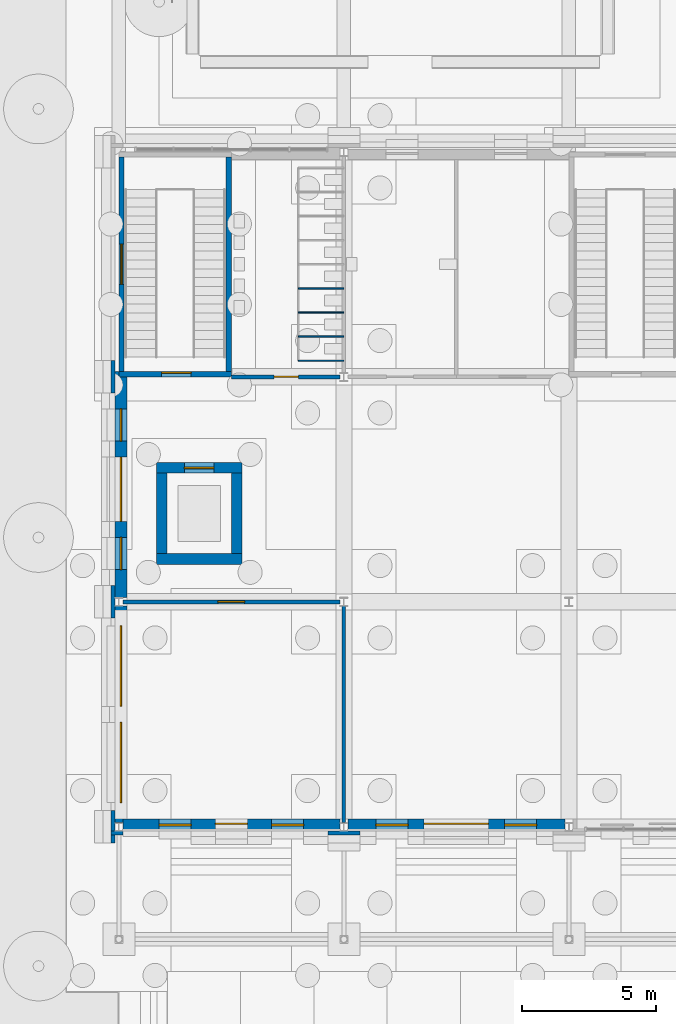
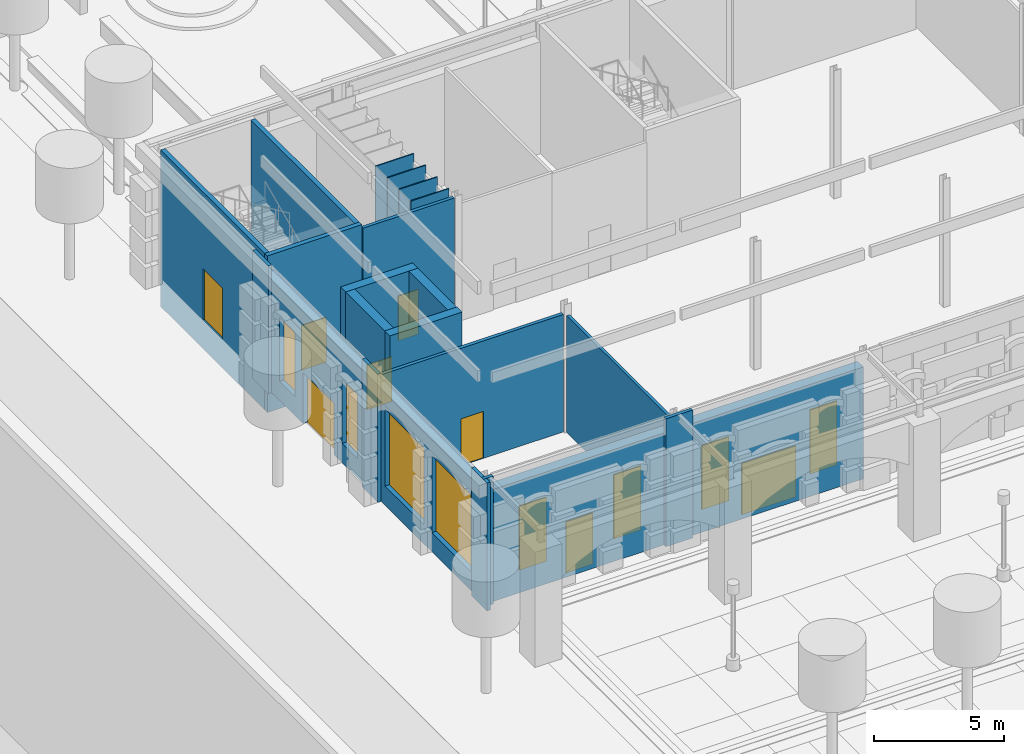
# One storey, part 88 of 222: 23 walls, 8 doors, 8 windows, 16 openings.
"""IFC4 building model written with IfcOpenShell, lengths in metres."""

from ifc_helpers import new_model, si_unit, direction, frame, frame_2d, origin, place, context, subcontext, project, spatial, rectangle, extrude, material, layer, layer_set, type_object, element, fill, save


model = new_model("IFC4")

# Units and contexts
model_context = context("Model", 3, precision=1e-05, world=origin(), true_north=direction((0.0, 1.0)))
body_context = subcontext(model_context, "Body", "Model", "MODEL_VIEW")
ifc_project = project(units=[si_unit("LENGTHUNIT", "METRE"), si_unit("AREAUNIT", "SQUARE_METRE"), si_unit("VOLUMEUNIT", "CUBIC_METRE"), si_unit("PLANEANGLEUNIT", "RADIAN"), si_unit("MASSUNIT", "GRAM", prefix="KILO")], contexts=[model_context])

# Site, building, storey
site_placement = place(None, origin())
site = spatial("IfcSite", under=ifc_project, at=site_placement, CompositionType="ELEMENT")
building_placement = place(site_placement, origin())
building = spatial("IfcBuilding", under=site, at=building_placement, Name="Sava Quay Ferry Terminal", CompositionType="ELEMENT")
storey_placement = place(building_placement, origin())
storey = spatial("IfcBuildingStorey", under=building, at=storey_placement, Name="L00", CompositionType="ELEMENT", Elevation=0.0)

# Walls
ifc_material_1 = material(Name="High-pressure laminate panel")
ifc_layer_1 = layer(ifc_material_1, 0.050048828125)
ifc_layer_set_1 = layer_set([ifc_layer_1], Name="High-pressure laminate panel")
wall_type_1 = type_object("IfcWallType", Name="Cubicle partition 50", PredefinedType="PARTITIONING", material=ifc_layer_set_1)
for number, where, z_axis, x_axis, name in (
    (1, (8.39990234375, 42.60009765625, 0.0), (0.0, 0.0, 1.0), (-1.0, 0.0, 0.0), "Cubicle partition panel"),
    (2, (8.39990234375, 43.5, 0.0), (0.0, 0.0, 1.0), (-1.0, 0.0, 0.0), "Cubicle partition panel"),
    (3, (8.39990234375, 44.39990234375, 0.0), (0.0, 0.0, 1.0), (-1.0, 0.0, 0.0), "Cubicle partition panel"),
    (4, (8.39990234375, 45.300048828125, 0.0), (0.0, 0.0, 1.0), (-1.0, 0.0, 0.0), "Cubicle partition panel"),
):
    element("IfcWall", number, at=place(storey_placement, frame(where, z_axis=z_axis, x_axis=x_axis)), inside=storey, type_object=wall_type_1, Name=name, PredefinedType="PARTITIONING", context=body_context, shape_type="SweptSolid", body=[
        extrude(rectangle(XDim=1.699951171875, YDim=0.050048828125, at=frame_2d((0.85009765625, 0.0))), origin(), (0.0, 0.0, 1.0), 5.8701171875),
    ])
ifc_material_2 = material(Name="Limestone Mutalj", Category="masonry")
ifc_layer_2 = layer(ifc_material_2, 0.14990234375)
ifc_layer_set_2 = layer_set([ifc_layer_2], Name="Limestone Mutalj")
wall_type_2 = type_object("IfcWallType", Name="Pier cladding 150", PredefinedType="SOLIDWALL", material=ifc_layer_set_2)
wall_1_placement = place(storey_placement, frame((-0.300048828125, 24.965087890625, 0.0), z_axis=(0.0, 0.0, 1.0), x_axis=(1.0, 0.0, 0.0)))
element("IfcWall", 5, at=wall_1_placement, inside=storey, type_object=wall_type_2, Name="Pier W-S grid 0", PredefinedType="SOLIDWALL", context=body_context, shape_type="SweptSolid", body=[
    extrude(rectangle(XDim=0.449951171875, YDim=0.14990234375, at=frame_2d((0.22509765625, 0.0))), origin(), (0.0, 0.0, 1.0), 6.0),
])
for number, where, z_axis, x_axis, name in (
    (6, (7.800048828125, 24.965087890625, 0.0), (0.0, 0.0, 1.0), (1.0, 0.0, 0.0), "Pier W-S grid 8.4"),
    (7, (-0.22509765625, 24.60009765625, 0.0), (0.0, 0.0, 1.0), (0.0, 1.0, 0.0), "Pier W-W grid 25.2"),
    (8, (-0.22509765625, 33.0, 0.0), (0.0, 0.0, 1.0), (0.0, 1.0, 0.0), "Pier W-W grid 33.6"),
):
    element("IfcWall", number, at=place(storey_placement, frame(where, z_axis=z_axis, x_axis=x_axis)), inside=storey, type_object=wall_type_2, Name=name, PredefinedType="SOLIDWALL", context=body_context, shape_type="SweptSolid", body=[
        extrude(rectangle(XDim=1.199951171875, YDim=0.14990234375, at=frame_2d((0.60009765625, 0.0))), origin(), (0.0, 0.0, 1.0), 6.0),
    ])
wall_2_placement = place(storey_placement, frame((-0.22509765625, 41.39990234375, 0.0), z_axis=(0.0, 0.0, 1.0), x_axis=(0.0, 1.0, 0.0)))
element("IfcWall", 9, at=wall_2_placement, inside=storey, type_object=wall_type_2, Name="Pier W-W grid 42", PredefinedType="SOLIDWALL", context=body_context, shape_type="SweptSolid", body=[
    extrude(rectangle(XDim=1.2001953125, YDim=0.14990234375, at=frame_2d((0.60009765625, 0.0))), origin(), (0.0, 0.0, 1.0), 6.0),
])

# Wall, opening, door
ifc_material_3 = material(Name="Masonry blockwork", Category="masonry")
ifc_layer_3 = layer(ifc_material_3, 0.14990234375)
ifc_layer_set_3 = layer_set([ifc_layer_3], Name="Masonry blockwork")
wall_type_3 = type_object("IfcWallType", Name="Plant, store and lobby wall, blockwork 150", PredefinedType="PARTITIONING", material=ifc_layer_set_3)
wall_3_placement = place(storey_placement, frame((0.14990234375, 33.60009765625, 0.0), z_axis=(0.0, 0.0, 1.0), x_axis=(1.0, 0.0, 0.0)))
wall_3 = element("IfcWall", 10, at=wall_3_placement, inside=storey, type_object=wall_type_3, Name="Plant, store and lobby wall, blockwork 150", PredefinedType="PARTITIONING", context=body_context, shape_type="SweptSolid", body=[
    extrude(rectangle(XDim=8.10009765625, YDim=0.14990234375, at=frame_2d((4.050048828125, 0.0))), origin(), (0.0, 0.0, 1.0), 5.510009765625),
])
opening_1_placement = place(wall_3_placement, frame((3.550048828125, 0.0, 0.0)))
opening_1 = element("IfcOpeningElement", 11, at=opening_1_placement, cuts=wall_3, Name="Opening D0005", PredefinedType="OPENING", context=body_context, shape_type="SweptSolid", body=[
    extrude(rectangle(XDim=1.0, YDim=2.199951171875, at=frame_2d((0.5, 1.10009765625))), frame((0.0, 0.074951171875, 0.0), z_axis=(0.0, -1.0, 0.0), x_axis=(1.0, 0.0, 0.0)), (0.0, 0.0, 1.0), 0.14990234375),
])
ifc_material_4 = material(Name="Timber door set", Category="wood")
door_type_1 = type_object("IfcDoorType", Name="Single door 1000 x 2200", OperationType="NOTDEFINED", PredefinedType="DOOR", material=ifc_material_4)
door_1_placement = place(opening_1_placement, origin())
door_1 = element("IfcDoor", 12, at=door_1_placement, inside=storey, type_object=door_type_1, Name="Door D0005", OperationType="SINGLE_SWING_LEFT", OverallHeight=2.199951171875, OverallWidth=1.0, PredefinedType="DOOR", context=body_context, shape_type="SweptSolid", body=[
    extrude(rectangle(XDim=1.0, YDim=2.199951171875, at=frame_2d((0.5, 1.10009765625))), frame((0.0, 0.02490234375, 0.0), z_axis=(0.0, -1.0, 0.0), x_axis=(1.0, 0.0, 0.0)), (0.0, 0.0, 1.0), 0.050048828125),
])
fill(opening_1, door_1)

wall_4_placement = place(storey_placement, frame((4.199951171875, 42.0, 0.0), z_axis=(0.0, 0.0, 1.0), x_axis=(1.0, 0.0, 0.0)))
wall_4 = element("IfcWall", 13, at=wall_4_placement, inside=storey, type_object=wall_type_3, Name="Plant, store and lobby wall, blockwork 150", PredefinedType="PARTITIONING", context=body_context, shape_type="SweptSolid", body=[
    extrude(rectangle(XDim=4.050048828125, YDim=0.14990234375, at=frame_2d((2.02490234375, 0.0))), origin(), (0.0, 0.0, 1.0), 5.8701171875),
])
opening_2_placement = place(wall_4_placement, frame((1.60009765625, 0.0, 0.0)))
opening_2 = element("IfcOpeningElement", 14, at=opening_2_placement, cuts=wall_4, Name="Opening D0006", PredefinedType="OPENING", context=body_context, shape_type="SweptSolid", body=[
    extrude(rectangle(XDim=0.89990234375, YDim=2.10009765625, at=frame_2d((0.449951171875, 1.050048828125))), frame((0.0, 0.074951171875, 0.0), z_axis=(0.0, -1.0, 0.0), x_axis=(1.0, 0.0, 0.0)), (0.0, 0.0, 1.0), 0.14990234375),
])
ifc_material_5 = material(Name="Laminate door set")
door_type_2 = type_object("IfcDoorType", Name="Toilet door 900 x 2100", OperationType="NOTDEFINED", PredefinedType="DOOR", material=ifc_material_5)
door_2_placement = place(opening_2_placement, origin())
door_2 = element("IfcDoor", 15, at=door_2_placement, inside=storey, type_object=door_type_2, Name="Door D0006", OperationType="SINGLE_SWING_LEFT", OverallHeight=2.10009765625, OverallWidth=0.89990234375, PredefinedType="DOOR", context=body_context, shape_type="SweptSolid", body=[
    extrude(rectangle(XDim=0.89990234375, YDim=2.10009765625, at=frame_2d((0.449951171875, 1.050048828125))), frame((0.0, 0.02490234375, 0.0), z_axis=(0.0, -1.0, 0.0), x_axis=(1.0, 0.0, 0.0)), (0.0, 0.0, 1.0), 0.050048828125),
])
fill(opening_2, door_2)

ifc_material_6 = material(Name="Concrete C35/45", Category="concrete")
ifc_layer_4 = layer(ifc_material_6, 0.199951171875)
ifc_layer_set_4 = layer_set([ifc_layer_4], Name="Concrete C35/45")
wall_type_4 = type_object("IfcWallType", Name="RC core wall 200", PredefinedType="SHEAR", material=ifc_layer_set_4)
wall_5_placement = place(storey_placement, frame((0.0, 42.10009765625, -1.35009765625), z_axis=(0.0, 0.0, 1.0), x_axis=(1.0, 0.0, 0.0)))
wall_5 = element("IfcWall", 16, at=wall_5_placement, inside=storey, type_object=wall_type_4, Name="Core wall ST-W1 S L00", PredefinedType="SHEAR", context=body_context, shape_type="SweptSolid", body=[
    extrude(rectangle(XDim=4.199951171875, YDim=0.199951171875, at=frame_2d((2.10009765625, 0.0))), origin(), (0.0, 0.0, 1.0), 7.35009765625),
])
opening_3_placement = place(wall_5_placement, frame((1.60009765625, 0.0, 1.35009765625)))
opening_3 = element("IfcOpeningElement", 17, at=opening_3_placement, cuts=wall_5, Name="Opening DS0003", PredefinedType="OPENING", context=body_context, shape_type="SweptSolid", body=[
    extrude(rectangle(XDim=1.10009765625, YDim=2.10009765625, at=frame_2d((0.550048828125, 1.050048828125))), frame((0.0, 0.10009765625, 0.0), z_axis=(0.0, -1.0, 0.0), x_axis=(1.0, 0.0, 0.0)), (0.0, 0.0, 1.0), 0.199951171875),
])
ifc_material_7 = material(Name="Steel fire door set", Category="steel")
door_type_3 = type_object("IfcDoorType", Name="Stair fire door 1100 x 2100", OperationType="NOTDEFINED", PredefinedType="DOOR", material=ifc_material_7)
door_3_placement = place(opening_3_placement, frame((1.10009765625, 0.050048828125, 0.0), z_axis=(0.0, 0.0, 1.0), x_axis=(-1.0, 0.0, 0.0)))
door_3 = element("IfcDoor", 18, at=door_3_placement, inside=storey, type_object=door_type_3, Name="Door DS0003", OperationType="SINGLE_SWING_RIGHT", OverallHeight=2.10009765625, OverallWidth=1.10009765625, PredefinedType="DOOR", context=body_context, shape_type="SweptSolid", body=[
    extrude(rectangle(XDim=1.10009765625, YDim=2.10009765625, at=frame_2d((0.550048828125, 1.050048828125))), frame((0.0, 0.02490234375, 0.0), z_axis=(0.0, -1.0, 0.0), x_axis=(1.0, 0.0, 0.0)), (0.0, 0.0, 1.0), 0.050048828125),
])
fill(opening_3, door_3)

wall_6_placement = place(storey_placement, frame((0.10009765625, 42.199951171875, -1.35009765625), z_axis=(0.0, 0.0, 1.0), x_axis=(0.0, 1.0, 0.0)))
wall_6 = element("IfcWall", 19, at=wall_6_placement, inside=storey, type_object=wall_type_4, Name="Core wall ST-W1 W L00", PredefinedType="SHEAR", context=body_context, shape_type="SweptSolid", body=[
    extrude(rectangle(XDim=8.0, YDim=0.199951171875, at=frame_2d((4.0, 0.0))), origin(), (0.0, 0.0, 1.0), 7.35009765625),
])
opening_4_placement = place(wall_6_placement, frame((3.25, 0.0, 1.35009765625)))
opening_4 = element("IfcOpeningElement", 20, at=opening_4_placement, cuts=wall_6, Name="Opening DX-W2", PredefinedType="OPENING", context=body_context, shape_type="SweptSolid", body=[
    extrude(rectangle(XDim=1.5, YDim=2.39990234375, at=frame_2d((0.75, 1.199951171875))), frame((0.0, 0.10009765625, 0.0), z_axis=(0.0, -1.0, 0.0), x_axis=(1.0, 0.0, 0.0)), (0.0, 0.0, 1.0), 0.199951171875),
])
ifc_material_8 = material(Name="Aluminium bronze anodised, glazing safety laminated", Category="aluminium")
door_type_4 = type_object("IfcDoorType", Name="Exit door 1500x2400", OperationType="DOUBLE_DOOR_SINGLE_SWING", PredefinedType="DOOR", material=ifc_material_8)
door_4_placement = place(opening_4_placement, origin())
door_4 = element("IfcDoor", 21, at=door_4_placement, inside=storey, type_object=door_type_4, Name="Door DX-W2", OperationType="DOUBLE_DOOR_SINGLE_SWING", OverallHeight=2.39990234375, OverallWidth=1.5, PredefinedType="DOOR", context=body_context, shape_type="SweptSolid", body=[
    extrude(rectangle(XDim=1.5, YDim=2.39990234375, at=frame_2d((0.75, 1.199951171875))), frame((0.0, 0.02490234375, 0.0), z_axis=(0.0, -1.0, 0.0), x_axis=(1.0, 0.0, 0.0)), (0.0, 0.0, 1.0), 0.050048828125),
])
fill(opening_4, door_4)

# Walls
wall_7_placement = place(storey_placement, frame((4.10009765625, 42.199951171875, -1.35009765625), z_axis=(0.0, 0.0, 1.0), x_axis=(0.0, 1.0, 0.0)))
element("IfcWall", 22, at=wall_7_placement, inside=storey, type_object=wall_type_4, Name="Core wall ST-W1 E L00", PredefinedType="SHEAR", context=body_context, shape_type="SweptSolid", body=[
    extrude(rectangle(XDim=8.0, YDim=0.199951171875, at=frame_2d((4.0, 0.0))), origin(), (0.0, 0.0, 1.0), 7.35009765625),
])
ifc_material_9 = material(Name="Concrete C35/45", Category="concrete")
ifc_layer_5 = layer(ifc_material_9, 0.39990234375)
ifc_layer_set_5 = layer_set([ifc_layer_5], Name="Concrete C35/45")
wall_type_5 = type_object("IfcWallType", Name="RC core wall 400", PredefinedType="SHEAR", material=ifc_layer_set_5)
wall_8_placement = place(storey_placement, frame((1.39990234375, 35.199951171875, -1.35009765625), z_axis=(0.0, 0.0, 1.0), x_axis=(1.0, 0.0, 0.0)))
element("IfcWall", 23, at=wall_8_placement, inside=storey, type_object=wall_type_5, Name="Core wall LF-W1 S L00", PredefinedType="SHEAR", context=body_context, shape_type="SweptSolid", body=[
    extrude(rectangle(XDim=3.2001953125, YDim=0.39990234375, at=frame_2d((1.60009765625, 0.0))), origin(), (0.0, 0.0, 1.0), 7.35009765625),
])

# Wall, opening, door
wall_9_placement = place(storey_placement, frame((1.39990234375, 38.60009765625, -1.35009765625), z_axis=(0.0, 0.0, 1.0), x_axis=(1.0, 0.0, 0.0)))
wall_9 = element("IfcWall", 24, at=wall_9_placement, inside=storey, type_object=wall_type_5, Name="Core wall LF-W1 N L00", PredefinedType="SHEAR", context=body_context, shape_type="SweptSolid", body=[
    extrude(rectangle(XDim=3.2001953125, YDim=0.39990234375, at=frame_2d((1.60009765625, 0.0))), origin(), (0.0, 0.0, 1.0), 7.35009765625),
])
opening_5_placement = place(wall_9_placement, frame((1.050048828125, 0.0, 1.35009765625)))
opening_5 = element("IfcOpeningElement", 25, at=opening_5_placement, cuts=wall_9, Name="Opening LD0003", PredefinedType="OPENING", context=body_context, shape_type="SweptSolid", body=[
    extrude(rectangle(XDim=1.10009765625, YDim=2.10009765625, at=frame_2d((0.550048828125, 1.050048828125))), frame((0.0, 0.199951171875, 0.0), z_axis=(0.0, -1.0, 0.0), x_axis=(1.0, 0.0, 0.0)), (0.0, 0.0, 1.0), 0.39990234375),
])
ifc_material_10 = material(Name="Stainless steel", Category="steel")
door_type_5 = type_object("IfcDoorType", Name="Lift landing door 1100 x 2100", OperationType="NOTDEFINED", PredefinedType="DOOR", material=ifc_material_10)
door_5_placement = place(opening_5_placement, origin())
door_5 = element("IfcDoor", 26, at=door_5_placement, inside=storey, type_object=door_type_5, Name="Door LD0003", OperationType="SLIDING_TO_LEFT", OverallHeight=2.10009765625, OverallWidth=1.10009765625, PredefinedType="DOOR", context=body_context, shape_type="SweptSolid", body=[
    extrude(rectangle(XDim=1.10009765625, YDim=2.10009765625, at=frame_2d((0.550048828125, 1.050048828125))), frame((0.0, 0.02490234375, 0.0), z_axis=(0.0, -1.0, 0.0), x_axis=(1.0, 0.0, 0.0)), (0.0, 0.0, 1.0), 0.050048828125),
])
fill(opening_5, door_5)

# Walls
for number, where, z_axis, x_axis, name in (
    (27, (1.60009765625, 35.39990234375, -1.35009765625), (0.0, 0.0, 1.0), (0.0, 1.0, 0.0), "Core wall LF-W1 W L00"),
    (28, (4.39990234375, 35.39990234375, -1.35009765625), (0.0, 0.0, 1.0), (0.0, 1.0, 0.0), "Core wall LF-W1 E L00"),
):
    element("IfcWall", number, at=place(storey_placement, frame(where, z_axis=z_axis, x_axis=x_axis)), inside=storey, type_object=wall_type_5, Name=name, PredefinedType="SHEAR", context=body_context, shape_type="SweptSolid", body=[
        extrude(rectangle(XDim=3.0, YDim=0.39990234375, at=frame_2d((1.5, 0.0))), origin(), (0.0, 0.0, 1.0), 7.35009765625),
    ])
ifc_material_11 = material(Name="Plasterboard on steel studs", Category="steel")
ifc_layer_6 = layer(ifc_material_11, 0.125)
ifc_layer_set_6 = layer_set([ifc_layer_6], Name="Plasterboard on steel studs")
wall_type_6 = type_object("IfcWallType", Name="Room partition, plasterboard on steel studs 125", PredefinedType="PARTITIONING", material=ifc_layer_set_6)
wall_10_placement = place(storey_placement, frame((8.39990234375, 25.360107421875, 0.0), z_axis=(0.0, 0.0, 1.0), x_axis=(0.0, 1.0, 0.0)))
element("IfcWall", 29, at=wall_10_placement, inside=storey, type_object=wall_type_6, Name="Room partition, plasterboard on steel studs 125", PredefinedType="PARTITIONING", context=body_context, shape_type="SweptSolid", body=[
    extrude(rectangle(XDim=8.079833984375, YDim=0.125, at=frame_2d((4.0400390625, 0.0))), origin(), (0.0, 0.0, 1.0), 5.47998046875),
])

# Wall, openings, windows, door
ifc_material_12 = material(Name="Limestone Mutalj", Category="masonry")
ifc_layer_7 = layer(ifc_material_12, 0.449951171875)
ifc_layer_set_7 = layer_set([ifc_layer_7], Name="Limestone Mutalj")
wall_type_7 = type_object("IfcWallType", Name="Rusticated limestone infill 450", PredefinedType="SOLIDWALL", material=ifc_layer_set_7)
wall_11_placement = place(storey_placement, frame((0.14990234375, 25.264892578125, 0.0), z_axis=(0.0, 0.0, 1.0), x_axis=(1.0, 0.0, 0.0)))
wall_11 = element("IfcWall", 30, at=wall_11_placement, inside=storey, type_object=wall_type_7, Name="External wall W-S", PredefinedType="SOLIDWALL", context=body_context, shape_type="SweptSolid", body=[
    extrude(rectangle(XDim=8.10009765625, YDim=0.449951171875, at=frame_2d((4.050048828125, 0.0))), origin(), (0.0, 0.0, 1.0), 5.25),
])
opening_6_placement = place(wall_11_placement, frame((3.449951171875, 0.0, 0.0)))
opening_6 = element("IfcOpeningElement", 31, at=opening_6_placement, cuts=wall_11, Name="Opening DX-W8", PredefinedType="OPENING", context=body_context, shape_type="SweptSolid", body=[
    extrude(rectangle(XDim=1.199951171875, YDim=2.39990234375, at=frame_2d((0.60009765625, 1.199951171875))), frame((0.0, 0.22509765625, 0.0), z_axis=(0.0, -1.0, 0.0), x_axis=(1.0, 0.0, 0.0)), (0.0, 0.0, 1.0), 0.449951171875),
])
opening_7_placement = place(wall_11_placement, frame((1.35009765625, 0.0, 0.89990234375)))
opening_7 = element("IfcOpeningElement", 32, at=opening_7_placement, cuts=wall_11, Name="Opening W-E1", PredefinedType="OPENING", context=body_context, shape_type="SweptSolid", body=[
    extrude(rectangle(XDim=1.199951171875, YDim=3.0, at=frame_2d((0.60009765625, 1.5))), frame((0.0, 0.22509765625, 0.0), z_axis=(0.0, -1.0, 0.0), x_axis=(1.0, 0.0, 0.0)), (0.0, 0.0, 1.0), 0.449951171875),
])
opening_8_placement = place(wall_11_placement, frame((5.550048828125, 0.0, 0.89990234375)))
opening_8 = element("IfcOpeningElement", 33, at=opening_8_placement, cuts=wall_11, Name="Opening W-E1", PredefinedType="OPENING", context=body_context, shape_type="SweptSolid", body=[
    extrude(rectangle(XDim=1.199951171875, YDim=3.0, at=frame_2d((0.60009765625, 1.5))), frame((0.0, 0.22509765625, 0.0), z_axis=(0.0, -1.0, 0.0), x_axis=(1.0, 0.0, 0.0)), (0.0, 0.0, 1.0), 0.449951171875),
])
ifc_material_13 = material(Name="Aluminium bronze anodised frame, glazing double low-e Ug 1.1", Category="aluminium")
window_type_1 = type_object("IfcWindowType", Name="Entrance sidelight 1200x3000", PartitioningType="SINGLE_PANEL", PredefinedType="WINDOW", material=ifc_material_13)
window_1_placement = place(opening_7_placement, origin())
window_1 = element("IfcWindow", 34, at=window_1_placement, inside=storey, type_object=window_type_1, Name="Window W-E1", OverallHeight=3.0, OverallWidth=1.199951171875, PartitioningType="SINGLE_PANEL", PredefinedType="WINDOW", context=body_context, shape_type="SweptSolid", body=[
    extrude(rectangle(XDim=1.199951171875, YDim=3.0, at=frame_2d((0.60009765625, 1.5))), frame((0.0, 0.030029296875, 0.0), z_axis=(0.0, -1.0, 0.0), x_axis=(1.0, 0.0, 0.0)), (0.0, 0.0, 1.0), 0.06005859375),
])
fill(opening_7, window_1)
window_2_placement = place(opening_8_placement, origin())
window_2 = element("IfcWindow", 35, at=window_2_placement, inside=storey, type_object=window_type_1, Name="Window W-E1", OverallHeight=3.0, OverallWidth=1.199951171875, PartitioningType="SINGLE_PANEL", PredefinedType="WINDOW", context=body_context, shape_type="SweptSolid", body=[
    extrude(rectangle(XDim=1.199951171875, YDim=3.0, at=frame_2d((0.60009765625, 1.5))), frame((0.0, 0.030029296875, 0.0), z_axis=(0.0, -1.0, 0.0), x_axis=(1.0, 0.0, 0.0)), (0.0, 0.0, 1.0), 0.06005859375),
])
fill(opening_8, window_2)
ifc_material_14 = material(Name="Aluminium bronze anodised, glazing safety laminated", Category="aluminium")
door_type_6 = type_object("IfcDoorType", Name="Service door 1200x2400", OperationType="NOTDEFINED", PredefinedType="DOOR", material=ifc_material_14)
door_6_placement = place(opening_6_placement, frame((1.199951171875, 0.050048828125, 0.0), z_axis=(0.0, 0.0, 1.0), x_axis=(-1.0, 0.0, 0.0)))
door_6 = element("IfcDoor", 36, at=door_6_placement, inside=storey, type_object=door_type_6, Name="Door DX-W8", OperationType="SINGLE_SWING_RIGHT", OverallHeight=2.39990234375, OverallWidth=1.199951171875, PredefinedType="DOOR", context=body_context, shape_type="SweptSolid", body=[
    extrude(rectangle(XDim=1.199951171875, YDim=2.39990234375, at=frame_2d((0.60009765625, 1.199951171875))), frame((0.0, 0.02490234375, 0.0), z_axis=(0.0, -1.0, 0.0), x_axis=(1.0, 0.0, 0.0)), (0.0, 0.0, 1.0), 0.050048828125),
])
fill(opening_6, door_6)

# Wall, openings, door, windows
wall_12_placement = place(storey_placement, frame((8.550048828125, 25.264892578125, 0.0), z_axis=(0.0, 0.0, 1.0), x_axis=(1.0, 0.0, 0.0)))
wall_12 = element("IfcWall", 37, at=wall_12_placement, inside=storey, type_object=wall_type_7, Name="External wall W-S", PredefinedType="SOLIDWALL", context=body_context, shape_type="SweptSolid", body=[
    extrude(rectangle(XDim=8.099853515625, YDim=0.449951171875, at=frame_2d((4.0498046875, 0.0))), origin(), (0.0, 0.0, 1.0), 5.25),
])
opening_9_placement = place(wall_12_placement, frame((2.85009765625, 0.0, 0.0)))
opening_9 = element("IfcOpeningElement", 38, at=opening_9_placement, cuts=wall_12, Name="Opening DX-W6", PredefinedType="OPENING", context=body_context, shape_type="SweptSolid", body=[
    extrude(rectangle(XDim=2.39990234375, YDim=2.39990234375, at=frame_2d((1.199951171875, 1.199951171875))), frame((0.0, 0.22509765625, 0.0), z_axis=(0.0, -1.0, 0.0), x_axis=(1.0, 0.0, 0.0)), (0.0, 0.0, 1.0), 0.449951171875),
])
opening_10_placement = place(wall_12_placement, frame((1.050048828125, 0.0, 0.89990234375)))
opening_10 = element("IfcOpeningElement", 39, at=opening_10_placement, cuts=wall_12, Name="Opening W-E1", PredefinedType="OPENING", context=body_context, shape_type="SweptSolid", body=[
    extrude(rectangle(XDim=1.199951171875, YDim=3.0, at=frame_2d((0.60009765625, 1.5))), frame((0.0, 0.22509765625, 0.0), z_axis=(0.0, -1.0, 0.0), x_axis=(1.0, 0.0, 0.0)), (0.0, 0.0, 1.0), 0.449951171875),
])
opening_11_placement = place(wall_12_placement, frame((5.85009765625, 0.0, 0.89990234375)))
opening_11 = element("IfcOpeningElement", 40, at=opening_11_placement, cuts=wall_12, Name="Opening W-E1", PredefinedType="OPENING", context=body_context, shape_type="SweptSolid", body=[
    extrude(rectangle(XDim=1.199951171875, YDim=3.0, at=frame_2d((0.60009765625, 1.5))), frame((0.0, 0.22509765625, 0.0), z_axis=(0.0, -1.0, 0.0), x_axis=(1.0, 0.0, 0.0)), (0.0, 0.0, 1.0), 0.449951171875),
])
ifc_material_15 = material(Name="Aluminium bronze anodised, glazing safety laminated", Category="aluminium")
door_type_7 = type_object("IfcDoorType", Name="Entrance double door 2400x2400", OperationType="DOUBLE_DOOR_SINGLE_SWING", PredefinedType="DOOR", material=ifc_material_15)
door_7_placement = place(opening_9_placement, frame((2.39990234375, 0.050048828125, 0.0), z_axis=(0.0, 0.0, 1.0), x_axis=(-1.0, 0.0, 0.0)))
door_7 = element("IfcDoor", 41, at=door_7_placement, inside=storey, type_object=door_type_7, Name="Door DX-W6", OperationType="DOUBLE_DOOR_SINGLE_SWING", OverallHeight=2.39990234375, OverallWidth=2.39990234375, PredefinedType="DOOR", context=body_context, shape_type="SweptSolid", body=[
    extrude(rectangle(XDim=2.39990234375, YDim=2.39990234375, at=frame_2d((1.199951171875, 1.199951171875))), frame((0.0, 0.02490234375, 0.0), z_axis=(0.0, -1.0, 0.0), x_axis=(1.0, 0.0, 0.0)), (0.0, 0.0, 1.0), 0.050048828125),
])
fill(opening_9, door_7)
window_3_placement = place(opening_10_placement, origin())
window_3 = element("IfcWindow", 42, at=window_3_placement, inside=storey, type_object=window_type_1, Name="Window W-E1", OverallHeight=3.0, OverallWidth=1.199951171875, PartitioningType="SINGLE_PANEL", PredefinedType="WINDOW", context=body_context, shape_type="SweptSolid", body=[
    extrude(rectangle(XDim=1.199951171875, YDim=3.0, at=frame_2d((0.60009765625, 1.5))), frame((0.0, 0.030029296875, 0.0), z_axis=(0.0, -1.0, 0.0), x_axis=(1.0, 0.0, 0.0)), (0.0, 0.0, 1.0), 0.06005859375),
])
fill(opening_10, window_3)
window_4_placement = place(opening_11_placement, origin())
window_4 = element("IfcWindow", 43, at=window_4_placement, inside=storey, type_object=window_type_1, Name="Window W-E1", OverallHeight=3.0, OverallWidth=1.199951171875, PartitioningType="SINGLE_PANEL", PredefinedType="WINDOW", context=body_context, shape_type="SweptSolid", body=[
    extrude(rectangle(XDim=1.199951171875, YDim=3.0, at=frame_2d((0.60009765625, 1.5))), frame((0.0, 0.030029296875, 0.0), z_axis=(0.0, -1.0, 0.0), x_axis=(1.0, 0.0, 0.0)), (0.0, 0.0, 1.0), 0.06005859375),
])
fill(opening_11, window_4)

# Wall, openings, windows
wall_13_placement = place(storey_placement, frame((0.074951171875, 25.360107421875, 0.0), z_axis=(0.0, 0.0, 1.0), x_axis=(0.0, 1.0, 0.0)))
wall_13 = element("IfcWall", 44, at=wall_13_placement, inside=storey, type_object=wall_type_7, Name="External wall W-W", PredefinedType="SOLIDWALL", context=body_context, shape_type="SweptSolid", body=[
    extrude(rectangle(XDim=8.079833984375, YDim=0.449951171875, at=frame_2d((4.0400390625, 0.0))), origin(), (0.0, 0.0, 1.0), 5.25),
])
opening_12_placement = place(wall_13_placement, frame((0.739990234375, 0.0, 0.89990234375)))
opening_12 = element("IfcOpeningElement", 45, at=opening_12_placement, cuts=wall_13, Name="Opening W-A", PredefinedType="OPENING", context=body_context, shape_type="SweptSolid", body=[
    extrude(rectangle(XDim=3.0, YDim=3.60009765625, at=frame_2d((1.5, 1.800048828125))), frame((0.0, 0.22509765625, 0.0), z_axis=(0.0, -1.0, 0.0), x_axis=(1.0, 0.0, 0.0)), (0.0, 0.0, 1.0), 0.449951171875),
])
opening_13_placement = place(wall_13_placement, frame((4.340087890625, 0.0, 0.89990234375)))
opening_13 = element("IfcOpeningElement", 46, at=opening_13_placement, cuts=wall_13, Name="Opening W-A", PredefinedType="OPENING", context=body_context, shape_type="SweptSolid", body=[
    extrude(rectangle(XDim=3.0, YDim=3.60009765625, at=frame_2d((1.5, 1.800048828125))), frame((0.0, 0.22509765625, 0.0), z_axis=(0.0, -1.0, 0.0), x_axis=(1.0, 0.0, 0.0)), (0.0, 0.0, 1.0), 0.449951171875),
])
ifc_material_16 = material(Name="Aluminium bronze anodised frame, glazing double low-e Ug 1.1", Category="aluminium")
window_type_2 = type_object("IfcWindowType", Name="Tall ordered window 3000x3600", PartitioningType="SINGLE_PANEL", PredefinedType="WINDOW", material=ifc_material_16)
window_5_placement = place(opening_12_placement, origin())
window_5 = element("IfcWindow", 47, at=window_5_placement, inside=storey, type_object=window_type_2, Name="Window W-A", OverallHeight=3.60009765625, OverallWidth=3.0, PartitioningType="SINGLE_PANEL", PredefinedType="WINDOW", context=body_context, shape_type="SweptSolid", body=[
    extrude(rectangle(XDim=3.0, YDim=3.60009765625, at=frame_2d((1.5, 1.800048828125))), frame((0.0, 0.030029296875, 0.0), z_axis=(0.0, -1.0, 0.0), x_axis=(1.0, 0.0, 0.0)), (0.0, 0.0, 1.0), 0.06005859375),
])
fill(opening_12, window_5)
window_6_placement = place(opening_13_placement, origin())
window_6 = element("IfcWindow", 48, at=window_6_placement, inside=storey, type_object=window_type_2, Name="Window W-A", OverallHeight=3.60009765625, OverallWidth=3.0, PartitioningType="SINGLE_PANEL", PredefinedType="WINDOW", context=body_context, shape_type="SweptSolid", body=[
    extrude(rectangle(XDim=3.0, YDim=3.60009765625, at=frame_2d((1.5, 1.800048828125))), frame((0.0, 0.030029296875, 0.0), z_axis=(0.0, -1.0, 0.0), x_axis=(1.0, 0.0, 0.0)), (0.0, 0.0, 1.0), 0.06005859375),
])
fill(opening_13, window_6)

# Wall, openings, door, windows
wall_14_placement = place(storey_placement, frame((0.074951171875, 33.760009765625, 0.0), z_axis=(0.0, 0.0, 1.0), x_axis=(0.0, 1.0, 0.0)))
wall_14 = element("IfcWall", 49, at=wall_14_placement, inside=storey, type_object=wall_type_7, Name="External wall W-W", PredefinedType="SOLIDWALL", context=body_context, shape_type="SweptSolid", body=[
    extrude(rectangle(XDim=8.43994140625, YDim=0.449951171875, at=frame_2d((4.219970703125, 0.0))), origin(), (0.0, 0.0, 1.0), 5.25),
])
opening_14_placement = place(wall_14_placement, frame((2.840087890625, 0.0, 0.0)))
opening_14 = element("IfcOpeningElement", 50, at=opening_14_placement, cuts=wall_14, Name="Opening DX-W1", PredefinedType="OPENING", context=body_context, shape_type="SweptSolid", body=[
    extrude(rectangle(XDim=2.39990234375, YDim=2.39990234375, at=frame_2d((1.199951171875, 1.199951171875))), frame((0.0, 0.22509765625, 0.0), z_axis=(0.0, -1.0, 0.0), x_axis=(1.0, 0.0, 0.0)), (0.0, 0.0, 1.0), 0.449951171875),
])
opening_15_placement = place(wall_14_placement, frame((1.0400390625, 0.0, 0.89990234375)))
opening_15 = element("IfcOpeningElement", 51, at=opening_15_placement, cuts=wall_14, Name="Opening W-E1", PredefinedType="OPENING", context=body_context, shape_type="SweptSolid", body=[
    extrude(rectangle(XDim=1.199951171875, YDim=3.0, at=frame_2d((0.60009765625, 1.5))), frame((0.0, 0.22509765625, 0.0), z_axis=(0.0, -1.0, 0.0), x_axis=(1.0, 0.0, 0.0)), (0.0, 0.0, 1.0), 0.449951171875),
])
opening_16_placement = place(wall_14_placement, frame((5.840087890625, 0.0, 0.89990234375)))
opening_16 = element("IfcOpeningElement", 52, at=opening_16_placement, cuts=wall_14, Name="Opening W-E1", PredefinedType="OPENING", context=body_context, shape_type="SweptSolid", body=[
    extrude(rectangle(XDim=1.199951171875, YDim=3.0, at=frame_2d((0.60009765625, 1.5))), frame((0.0, 0.22509765625, 0.0), z_axis=(0.0, -1.0, 0.0), x_axis=(1.0, 0.0, 0.0)), (0.0, 0.0, 1.0), 0.449951171875),
])
door_8_placement = place(opening_14_placement, origin())
door_8 = element("IfcDoor", 53, at=door_8_placement, inside=storey, type_object=door_type_7, Name="Door DX-W1", OperationType="DOUBLE_DOOR_SINGLE_SWING", OverallHeight=2.39990234375, OverallWidth=2.39990234375, PredefinedType="DOOR", context=body_context, shape_type="SweptSolid", body=[
    extrude(rectangle(XDim=2.39990234375, YDim=2.39990234375, at=frame_2d((1.199951171875, 1.199951171875))), frame((0.0, 0.02490234375, 0.0), z_axis=(0.0, -1.0, 0.0), x_axis=(1.0, 0.0, 0.0)), (0.0, 0.0, 1.0), 0.050048828125),
])
fill(opening_14, door_8)
window_7_placement = place(opening_15_placement, origin())
window_7 = element("IfcWindow", 54, at=window_7_placement, inside=storey, type_object=window_type_1, Name="Window W-E1", OverallHeight=3.0, OverallWidth=1.199951171875, PartitioningType="SINGLE_PANEL", PredefinedType="WINDOW", context=body_context, shape_type="SweptSolid", body=[
    extrude(rectangle(XDim=1.199951171875, YDim=3.0, at=frame_2d((0.60009765625, 1.5))), frame((0.0, 0.030029296875, 0.0), z_axis=(0.0, -1.0, 0.0), x_axis=(1.0, 0.0, 0.0)), (0.0, 0.0, 1.0), 0.06005859375),
])
fill(opening_15, window_7)
window_8_placement = place(opening_16_placement, origin())
window_8 = element("IfcWindow", 55, at=window_8_placement, inside=storey, type_object=window_type_1, Name="Window W-E1", OverallHeight=3.0, OverallWidth=1.199951171875, PartitioningType="SINGLE_PANEL", PredefinedType="WINDOW", context=body_context, shape_type="SweptSolid", body=[
    extrude(rectangle(XDim=1.199951171875, YDim=3.0, at=frame_2d((0.60009765625, 1.5))), frame((0.0, 0.030029296875, 0.0), z_axis=(0.0, -1.0, 0.0), x_axis=(1.0, 0.0, 0.0)), (0.0, 0.0, 1.0), 0.06005859375),
])
fill(opening_16, window_8)

save(model, "model.ifc")
